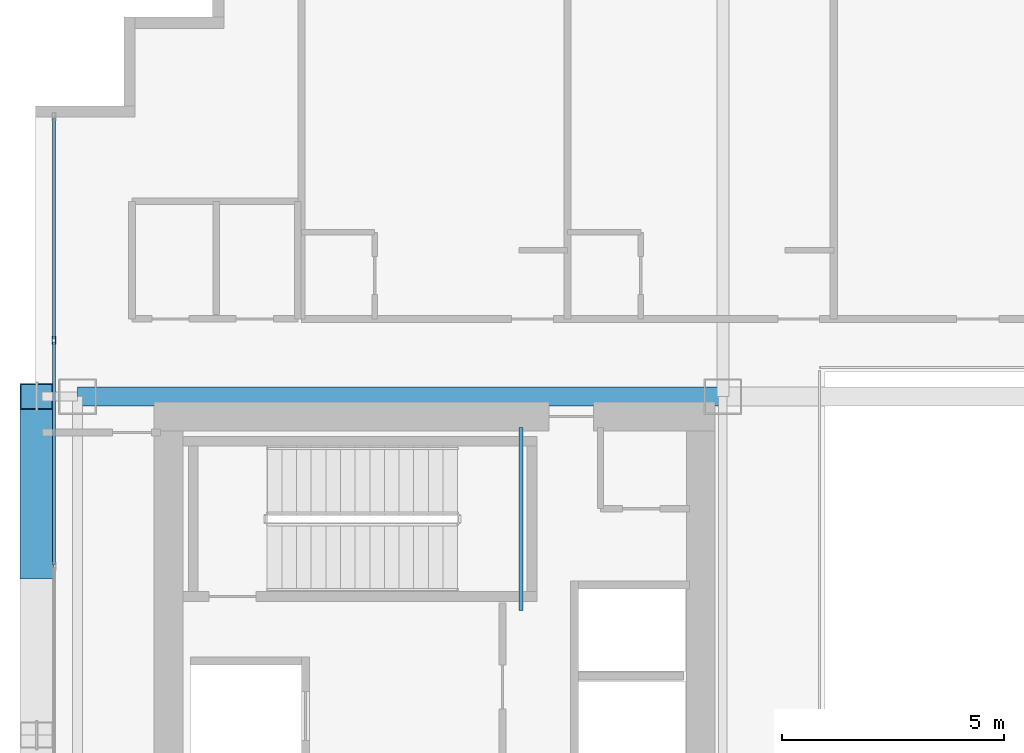
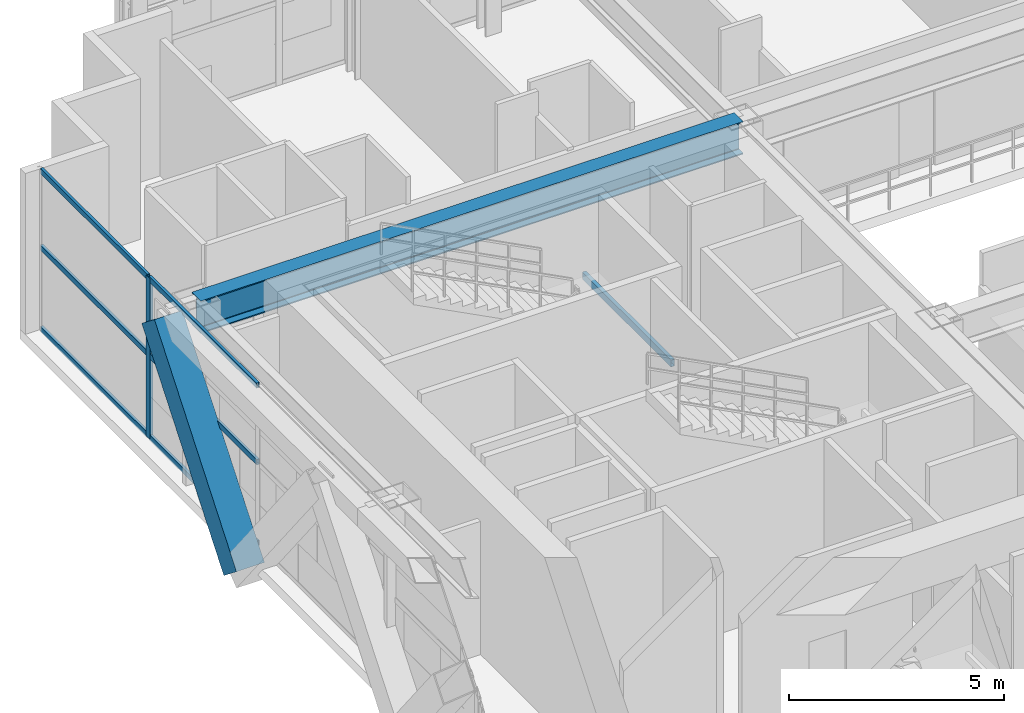
# One storey, part 17 of 38: 8 members, 2 beams, 1 element without a shape of its own.
"""IFC4 building model written with IfcOpenShell, lengths in metres."""

import ifcopenshell
import ifcopenshell.guid

model = None  # the IFC model being written
_history = None  # IfcOwnerHistory: only IFC2X3 demands one
_inside = {}  # id of a spatial element -> (the spatial element, [elements in it])
_under = {}  # id of a project, library or spatial element -> (it, [spatial elements below it])
_declared = {}  # id of a project -> (the project, [libraries it declares])
_typed = {}  # id of a type object -> (the type object, [elements of that type])
_made_of = {}  # id of a material, layer set ... -> (it, [elements and type objects made of it])


def new_model(schema):
    """Start an empty IFC model of exactly this schema.

    Asked for "IFC4X3", IfcOpenShell would pick the latest addendum, in which some entities
    have other attributes; the version numbers below select the first issue.
    IFC2X3 requires an IfcOwnerHistory on every rooted entity: one is made here for all.
    """
    global model, _history
    if schema == "IFC4X3":
        model = ifcopenshell.file(schema_version=(4, 3, 0, 0))
    else:
        model = ifcopenshell.file(schema=schema)
    _inside.clear()
    _under.clear()
    _declared.clear()
    _typed.clear()
    _made_of.clear()
    _history = None
    if model.schema == "IFC2X3":
        org = make("IfcOrganization", Name="unknown")
        user = make(
            "IfcPersonAndOrganization",
            ThePerson=make("IfcPerson", FamilyName="unknown"),
            TheOrganization=org,
        )
        app = make(
            "IfcApplication",
            ApplicationDeveloper=org,
            Version="unknown",
            ApplicationFullName="unknown",
            ApplicationIdentifier="unknown",
        )
        _history = make(
            "IfcOwnerHistory",
            OwningUser=user,
            OwningApplication=app,
            ChangeAction="ADDED",
            CreationDate=0,
        )
    return model


def make(cls, **values):
    """One entity of the class cls with the attributes given. An attribute that is None is left unset."""
    return model.create_entity(
        cls, **{name: value for name, value in values.items() if value is not None}
    )


def rooted(cls, **values):
    """An entity with a GlobalId (a new one), such as an element, a storey or a relation."""
    return make(cls, GlobalId=ifcopenshell.guid.new(), OwnerHistory=_history, **values)


def si_unit(unit_type, name, prefix=None):
    """IfcSIUnit, for example si_unit("LENGTHUNIT", "METRE", prefix="MILLI")."""
    return make("IfcSIUnit", UnitType=unit_type, Prefix=prefix, Name=name)


def assignment(units):
    """IfcUnitAssignment: the units of a project."""
    return None if units is None else make("IfcUnitAssignment", Units=units)


def point(xyz):
    """IfcCartesianPoint."""
    return None if xyz is None else make("IfcCartesianPoint", Coordinates=xyz)


def direction(xyz):
    """IfcDirection."""
    return None if xyz is None else make("IfcDirection", DirectionRatios=xyz)


def frame(location, z_axis=None, x_axis=None):
    """IfcAxis2Placement3D, a coordinate frame: its origin and axes. An axis left out is left unset."""
    return make(
        "IfcAxis2Placement3D",
        Location=point(location),
        Axis=direction(z_axis),
        RefDirection=direction(x_axis),
    )


def frame_2d(location, x_axis=None):
    """IfcAxis2Placement2D, a coordinate frame in the plane: its origin and x axis."""
    return make(
        "IfcAxis2Placement2D", Location=point(location), RefDirection=direction(x_axis)
    )


def origin():
    """The frame at (0, 0, 0) with its axes left unset."""
    return frame((0.0, 0.0, 0.0))


def origin_2d():
    """The frame at (0, 0) in the plane with its x axis left unset."""
    return frame_2d((0.0, 0.0))


def place(relative_to, where):
    """IfcLocalPlacement: puts the frame where relative to a parent placement (None: the world)."""
    return make(
        "IfcLocalPlacement", PlacementRelTo=relative_to, RelativePlacement=where
    )


def context(
    kind, dimensions, precision=None, world=None, true_north=None, identifier=None
):
    """IfcGeometricRepresentationContext, for example the 3D "Model" context."""
    return make(
        "IfcGeometricRepresentationContext",
        ContextIdentifier=identifier,
        ContextType=kind,
        CoordinateSpaceDimension=dimensions,
        Precision=precision,
        WorldCoordinateSystem=world,
        TrueNorth=true_north,
    )


def subcontext(parent, identifier, kind, view, scale=None):
    """IfcGeometricRepresentationSubContext, for example "Body" below "Model"."""
    return make(
        "IfcGeometricRepresentationSubContext",
        ContextIdentifier=identifier,
        ContextType=kind,
        ParentContext=parent,
        TargetScale=scale,
        TargetView=view,
    )


def project(units=None, contexts=None):
    """IfcProject with its units and contexts."""
    return rooted(
        "IfcProject",
        Name="project",
        RepresentationContexts=contexts,
        UnitsInContext=assignment(units),
    )


def spatial(cls, under=None, at=None, **own):
    """A site, building, storey or space (cls), placed at a placement, below another one or the project."""
    s = rooted(cls, ObjectPlacement=at, **own)
    if under is not None:
        _under.setdefault(under.id(), (under, []))[1].append(s)
    return s


def profile(cls, at=None, kind="AREA", **sizes):
    """A parametric profile (cls). Its sizes go by their IFC names, for example OverallWidth=200.0."""
    return make(cls, ProfileType=kind, Position=at, **sizes)


def hollow_rectangle(**sizes):
    """IfcRectangleHollowProfileDef."""
    return profile("IfcRectangleHollowProfileDef", **sizes)


def i_section(**sizes):
    """IfcIShapeProfileDef."""
    return profile("IfcIShapeProfileDef", **sizes)


def extrude(swept, where, along, depth):
    """IfcExtrudedAreaSolid: the profile swept, set in the frame where, extruded along a direction by depth."""
    return make(
        "IfcExtrudedAreaSolid",
        SweptArea=swept,
        Position=where,
        ExtrudedDirection=direction(along),
        Depth=depth,
    )


def shape(context_of_items, identifier, shape_type, items):
    """IfcShapeRepresentation: the items that make up one representation, for example the "Body"."""
    return make(
        "IfcShapeRepresentation",
        ContextOfItems=context_of_items,
        RepresentationIdentifier=identifier,
        RepresentationType=shape_type,
        Items=items,
    )


def source(mapping_origin, context_of_items, identifier, shape_type, items):
    """IfcRepresentationMap: a shape defined once, which mapped items show again and again."""
    return make(
        "IfcRepresentationMap",
        MappingOrigin=mapping_origin,
        MappedRepresentation=shape(context_of_items, identifier, shape_type, items),
    )


def transform(
    local_origin,
    x_axis=None,
    y_axis=None,
    z_axis=None,
    scale=None,
    scale2=None,
    scale3=None,
    uniform=True,
):
    """IfcCartesianTransformationOperator3D, or its non-uniform kind. x_axis, y_axis, z_axis: its Axis1, 2, 3."""
    if uniform:
        return make(
            "IfcCartesianTransformationOperator3D",
            Axis1=direction(x_axis),
            Axis2=direction(y_axis),
            LocalOrigin=point(local_origin),
            Scale=scale,
            Axis3=direction(z_axis),
        )
    return make(
        "IfcCartesianTransformationOperator3DnonUniform",
        Axis1=direction(x_axis),
        Axis2=direction(y_axis),
        LocalOrigin=point(local_origin),
        Scale=scale,
        Axis3=direction(z_axis),
        Scale2=scale2,
        Scale3=scale3,
    )


def mapped(mapping_source, mapping_target):
    """IfcMappedItem: shows the shape of a source again, moved by a transform."""
    return make(
        "IfcMappedItem", MappingSource=mapping_source, MappingTarget=mapping_target
    )


def material(Name=None, Category=None):
    """IfcMaterial."""
    return make("IfcMaterial", Name=Name, Category=Category)


def layer(
    of_material, thickness, ventilated=None, Name=None, Category=None, Priority=None
):
    """IfcMaterialLayer: one layer of a wall or slab, of a material (None: an air gap)."""
    return make(
        "IfcMaterialLayer",
        Material=of_material,
        LayerThickness=thickness,
        IsVentilated=ventilated,
        Name=Name,
        Category=Category,
        Priority=Priority,
    )


def layer_set(layers, Name=None):
    """IfcMaterialLayerSet."""
    return make("IfcMaterialLayerSet", MaterialLayers=layers, LayerSetName=Name)


def material_profile(
    of_material, cross_section, Name=None, Category=None, Priority=None
):
    """IfcMaterialProfile: a cross section and its material."""
    return make(
        "IfcMaterialProfile",
        Name=Name,
        Material=of_material,
        Profile=cross_section,
        Priority=Priority,
        Category=Category,
    )


def profile_set(profiles, Name=None, composite=None):
    """IfcMaterialProfileSet."""
    return make(
        "IfcMaterialProfileSet",
        Name=Name,
        MaterialProfiles=profiles,
        CompositeProfile=composite,
    )


def made_of(thing, what):
    """Note that an element or type object is made of a material, layer set ...; save() writes the relation."""
    if what is not None:
        _made_of.setdefault(what.id(), (what, []))[1].append(thing)
    return thing


def type_object(cls, material=None, **own):
    """A type object (cls), such as IfcWallType, which elements share."""
    return made_of(rooted(cls, **own), material)


def element(
    cls,
    number,
    at=None,
    inside=None,
    cuts=None,
    type_object=None,
    material=None,
    context=None,
    identifier="Body",
    shape_type=None,
    held_by="IfcProductDefinitionShape",
    body=None,
    shapes=None,
    **own,
):
    """One element of the class cls, such as IfcWall. Its Tag is "e" and its number.

    at: its placement. inside: the storey or other place that contains it. cuts: it is an
    opening in that element (IfcRelVoidsElement). A single representation is given by context,
    identifier, shape_type and body (its items); several are given by shapes. held_by: the class
    of the entity that holds the representations. save() writes the other relations.
    """
    e = rooted(cls, Tag="e%d" % number, ObjectPlacement=at, **own)
    if body is not None:
        shapes = [shape(context, identifier, shape_type, body)]
    if shapes is not None:
        e.Representation = make(held_by, Representations=shapes)
    if inside is not None:
        _inside.setdefault(inside.id(), (inside, []))[1].append(e)
    if cuts is not None:
        rooted(
            "IfcRelVoidsElement", RelatingBuildingElement=cuts, RelatedOpeningElement=e
        )
    if type_object is not None:
        _typed.setdefault(type_object.id(), (type_object, []))[1].append(e)
    return made_of(e, material)


def aggregate(whole, parts):
    """IfcRelAggregates: a whole, such as a stair, and the parts it consists of."""
    return rooted("IfcRelAggregates", RelatingObject=whole, RelatedObjects=parts)


def save(model, path):
    """Write the relations noted so far, then the file.

    IfcRelAggregates (storeys below a building ...), IfcRelContainedInSpatialStructure (elements
    in a storey), IfcRelDefinesByType, IfcRelAssociatesMaterial and IfcRelDeclares: one each for
    every whole, place, type object, material and project.
    """
    for whole, parts in _under.values():
        aggregate(whole, parts)
    for where, things in _inside.values():
        rooted(
            "IfcRelContainedInSpatialStructure",
            RelatedElements=things,
            RelatingStructure=where,
        )
    for kind, things in _typed.values():
        rooted("IfcRelDefinesByType", RelatedObjects=things, RelatingType=kind)
    for what, things in _made_of.values():
        rooted("IfcRelAssociatesMaterial", RelatedObjects=things, RelatingMaterial=what)
    for by, libraries in _declared.values():
        rooted("IfcRelDeclares", RelatingContext=by, RelatedDefinitions=libraries)
    model.write(path)


model = new_model("IFC4")

# Units and contexts
model_context = context("Model", 3, precision=1e-05, world=origin(), true_north=direction((0.0, 1.0)))
body_context = subcontext(model_context, "Body", "Model", "MODEL_VIEW")
ifc_project = project(units=[si_unit("LENGTHUNIT", "METRE"), si_unit("AREAUNIT", "SQUARE_METRE"), si_unit("VOLUMEUNIT", "CUBIC_METRE"), si_unit("PLANEANGLEUNIT", "RADIAN"), si_unit("MASSUNIT", "GRAM", prefix="KILO")], contexts=[model_context])

# Site, building, storey
site_placement = place(None, origin())
site = spatial("IfcSite", under=ifc_project, at=site_placement, CompositionType="ELEMENT")
building_placement = place(site_placement, origin())
building = spatial("IfcBuilding", under=site, at=building_placement, Name="Ocotamira Hotel", CompositionType="ELEMENT")
storey_placement = place(building_placement, frame((0.0, 0.0, 92.39990234375)))
storey = spatial("IfcBuildingStorey", under=building, at=storey_placement, Name="L22", CompositionType="ELEMENT", Elevation=92.39990234375)

# Beams
ifc_material_1 = material(Name="Steel ASTM A500 Grade C", Category="steel")
ifc_material_profile_1 = material_profile(ifc_material_1, hollow_rectangle(XDim=0.10009765625, YDim=0.199951171875, WallThickness=0.008056640625, at=origin_2d()), Name="HSS200X100X8")
ifc_profile_set_1 = profile_set([ifc_material_profile_1], Name="Steel ASTM A500 Grade C")
beam_type_1 = type_object("IfcBeamType", Name="BM-STLDG-HSS200", PredefinedType="BEAM", material=ifc_profile_set_1)
shared_shape_1 = source(origin(), body_context, "Body", "SweptSolid", [
    extrude(hollow_rectangle(XDim=0.10009765625, YDim=0.199951171875, WallThickness=0.008056640625, at=origin_2d()), origin(), (0.0, 0.0, 1.0), 4.1201171875),
])
beam_1_placement = place(storey_placement, frame((18.949951171875, 32.6298828125, 2.10009765625), z_axis=(0.0, 1.0, 0.0), x_axis=(-1.0, 0.0, 0.0)))
element("IfcBeam", 1, at=beam_1_placement, inside=storey, type_object=beam_type_1, Name="L22 Stair ST-2 Landing Bearer 1", PredefinedType="BEAM", context=body_context, shape_type="MappedRepresentation", body=[
    mapped(shared_shape_1, transform((0.0, 0.0, 0.0), scale=1.0)),
])
ifc_material_2 = material(Name="Steel ASTM A992 Grade 50", Category="steel")
ifc_material_profile_2 = material_profile(ifc_material_2, i_section(OverallWidth=0.41796875, OverallDepth=0.927001953125, WebThickness=0.019287109375, FlangeThickness=0.031982421875, FilletRadius=0.02392578125, at=origin_2d()), Name="W36X231")
ifc_profile_set_2 = profile_set([ifc_material_profile_2], Name="Steel ASTM A992 Grade 50")
beam_type_2 = type_object("IfcBeamType", Name="BM-GIRD-W36X231", PredefinedType="BEAM", material=ifc_profile_set_2)
shared_shape_2 = source(origin(), body_context, "Body", "SweptSolid", [
    extrude(i_section(OverallWidth=0.41796875, OverallDepth=0.927001953125, WebThickness=0.019287109375, FlangeThickness=0.031982421875, FilletRadius=0.02392578125, at=origin_2d()), origin(), (0.0, 0.0, 1.0), 14.550048828125),
])
beam_2_placement = place(storey_placement, frame((8.949951171875, 37.449951171875, 4.0966796875), z_axis=(1.0, 0.0, 0.0), x_axis=(0.0, 1.0, 0.0)))
element("IfcBeam", 2, at=beam_2_placement, inside=storey, type_object=beam_type_2, Name="L22 Girder Y37.45 X8.95-23.5", PredefinedType="BEAM", context=body_context, shape_type="MappedRepresentation", body=[
    mapped(shared_shape_2, transform((0.0, 0.0, 0.0), scale=1.0)),
])

# Member
ifc_material_3 = material(Name="Pale-metal coated steel ASTM A913 Grade 65", Category="steel")
ifc_material_profile_3 = material_profile(ifc_material_3, hollow_rectangle(XDim=0.75, YDim=0.75, WallThickness=0.028076171875, at=origin_2d()), Name="BOX750X750X28")
ifc_profile_set_3 = profile_set([ifc_material_profile_3], Name="Pale-metal coated steel ASTM A913 Grade 65")
member_type_1 = type_object("IfcMemberType", Name="MEM-EXO-BOX750", PredefinedType="BRACE", material=ifc_profile_set_3)
shared_shape_3 = source(origin(), body_context, "Body", "SweptSolid", [
    extrude(hollow_rectangle(XDim=0.75, YDim=0.75, WallThickness=0.028076171875, at=origin_2d()), origin(), (0.0, 0.0, 1.0), 6.16357421875),
])
member_1_placement = place(storey_placement, frame((8.030029296875, 33.63330078125, -0.52978515625), z_axis=(0.0, 0.619216534821, 0.785220276741), x_axis=(-1.0, 0.0, 0.0)))
element("IfcMember", 3, at=member_1_placement, inside=storey, type_object=member_type_1, Name="L22 Exoskeleton Diagrid W2.2", PredefinedType="BRACE", context=body_context, shape_type="MappedRepresentation", body=[
    mapped(shared_shape_3, transform((0.0, 0.0, 0.0), scale=1.0)),
])

# Curtain wall, members
ifc_material_4 = material(Name="Anodised pale-metal aluminium and solar glass", Category="aluminium")
ifc_layer = layer(ifc_material_4, 0.239990234375)
ifc_layer_set = layer_set([ifc_layer], Name="Anodised pale-metal aluminium and solar glass")
curtain_wall_type = type_object("IfcCurtainWallType", Name="CW-SYS5-SKY", PredefinedType="NOTDEFINED", material=ifc_layer_set)
curtain_wall_placement = place(storey_placement, origin())
curtain_wall = element("IfcCurtainWall", 4, at=curtain_wall_placement, inside=storey, type_object=curtain_wall_type, Name="L22 Curtain Wall CW-5 CW-L22-W", PredefinedType="NOTDEFINED")
ifc_material_5 = material(Name="Anodised pale-metal aluminium 6063-T6", Category="aluminium")
ifc_material_profile_4 = material_profile(ifc_material_5, hollow_rectangle(XDim=0.074951171875, YDim=0.14990234375, WallThickness=0.006103515625, at=origin_2d()), Name="HSS150X75X6")
ifc_profile_set_4 = profile_set([ifc_material_profile_4], Name="Anodised pale-metal aluminium 6063-T6")
member_type_2 = type_object("IfcMemberType", Name="CWT-150X75", PredefinedType="USERDEFINED", material=ifc_profile_set_4)
shared_shape_4 = source(origin(), body_context, "Body", "SweptSolid", [
    extrude(hollow_rectangle(XDim=0.074951171875, YDim=0.14990234375, WallThickness=0.006103515625, at=origin_2d()), origin(), (0.0, 0.0, 1.0), 4.965576171875),
])
member_2_placement = place(storey_placement, frame((8.419921875, 38.75439453125, 0.03759765625), z_axis=(0.0, 1.0, 0.0), x_axis=(-1.0, 0.0, 0.0)))
member_2 = element("IfcMember", 5, at=member_2_placement, type_object=member_type_2, Name="CW-5 transom 7.1", ObjectType="TRANSOM", PredefinedType="USERDEFINED", context=body_context, shape_type="MappedRepresentation", body=[
    mapped(shared_shape_4, transform((0.0, 0.0, 0.0), scale=1.0)),
])
member_3_placement = place(storey_placement, frame((8.419921875, 38.75439453125, 2.35009765625), z_axis=(0.0, 1.0, 0.0), x_axis=(-1.0, 0.0, 0.0)))
member_3 = element("IfcMember", 6, at=member_3_placement, type_object=member_type_2, Name="CW-5 transom 7.2", ObjectType="TRANSOM", PredefinedType="USERDEFINED", context=body_context, shape_type="MappedRepresentation", body=[
    mapped(shared_shape_4, transform((0.0, 0.0, 0.0), scale=1.0)),
])
member_4_placement = place(storey_placement, frame((8.419921875, 38.75439453125, 4.522705078125), z_axis=(0.0, 1.0, 0.0), x_axis=(-1.0, 0.0, 0.0)))
member_4 = element("IfcMember", 7, at=member_4_placement, type_object=member_type_2, Name="CW-5 transom 7.3", ObjectType="TRANSOM", PredefinedType="USERDEFINED", context=body_context, shape_type="MappedRepresentation", body=[
    mapped(shared_shape_4, transform((0.0, 0.0, 0.0), scale=1.0)),
])
shared_shape_5 = source(origin(), body_context, "Body", "SweptSolid", [
    extrude(hollow_rectangle(XDim=0.074951171875, YDim=0.14990234375, WallThickness=0.006103515625, at=origin_2d()), origin(), (0.0, 0.0, 1.0), 5.005859375),
])
member_5_placement = place(storey_placement, frame((8.419921875, 33.66845703125, 0.03759765625), z_axis=(0.0, 1.0, 0.0), x_axis=(-1.0, 0.0, 0.0)))
member_5 = element("IfcMember", 8, at=member_5_placement, type_object=member_type_2, Name="CW-5 transom 6.1", ObjectType="TRANSOM", PredefinedType="USERDEFINED", context=body_context, shape_type="MappedRepresentation", body=[
    mapped(shared_shape_5, transform((0.0, 0.0, 0.0), scale=1.0)),
])
member_6_placement = place(storey_placement, frame((8.419921875, 33.66845703125, 2.35009765625), z_axis=(0.0, 1.0, 0.0), x_axis=(-1.0, 0.0, 0.0)))
member_6 = element("IfcMember", 9, at=member_6_placement, type_object=member_type_2, Name="CW-5 transom 6.2", ObjectType="TRANSOM", PredefinedType="USERDEFINED", context=body_context, shape_type="MappedRepresentation", body=[
    mapped(shared_shape_5, transform((0.0, 0.0, 0.0), scale=1.0)),
])
member_7_placement = place(storey_placement, frame((8.419921875, 33.66845703125, 4.522705078125), z_axis=(0.0, 1.0, 0.0), x_axis=(-1.0, 0.0, 0.0)))
member_7 = element("IfcMember", 10, at=member_7_placement, type_object=member_type_2, Name="CW-5 transom 6.3", ObjectType="TRANSOM", PredefinedType="USERDEFINED", context=body_context, shape_type="MappedRepresentation", body=[
    mapped(shared_shape_5, transform((0.0, 0.0, 0.0), scale=1.0)),
])
ifc_material_profile_5 = material_profile(ifc_material_5, hollow_rectangle(XDim=0.080078125, YDim=0.179931640625, WallThickness=0.006103515625, at=origin_2d()), Name="HSS180X80X6")
ifc_profile_set_5 = profile_set([ifc_material_profile_5], Name="Anodised pale-metal aluminium 6063-T6")
member_type_3 = type_object("IfcMemberType", Name="CWM-180X75", PredefinedType="MULLION", material=ifc_profile_set_5)
shared_shape_6 = source(origin(), body_context, "Body", "SweptSolid", [
    extrude(hollow_rectangle(XDim=0.080078125, YDim=0.179931640625, WallThickness=0.006103515625, at=origin_2d()), origin(), (0.0, 0.0, 1.0), 4.56005859375),
])
member_8_placement = place(storey_placement, frame((8.419921875, 38.71435546875, 0.0), z_axis=(0.0, 0.0, 1.0), x_axis=(-1.0, 0.0, 0.0)))
member_8 = element("IfcMember", 11, at=member_8_placement, type_object=member_type_3, Name="CW-5 mullion 7", PredefinedType="MULLION", context=body_context, shape_type="MappedRepresentation", body=[
    mapped(shared_shape_6, transform((0.0, 0.0, 0.0), scale=1.0)),
])
aggregate(curtain_wall, [member_8, member_5, member_6, member_7, member_2, member_3, member_4])

save(model, "model.ifc")
